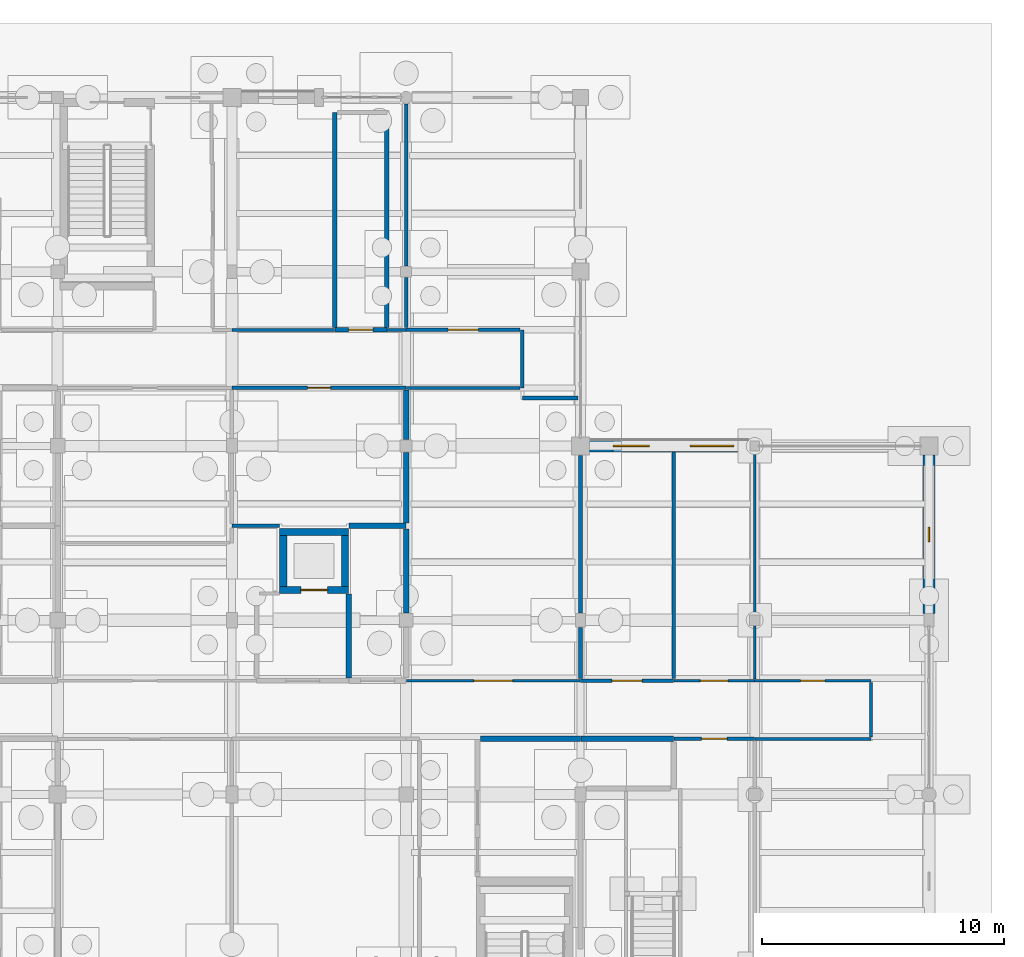
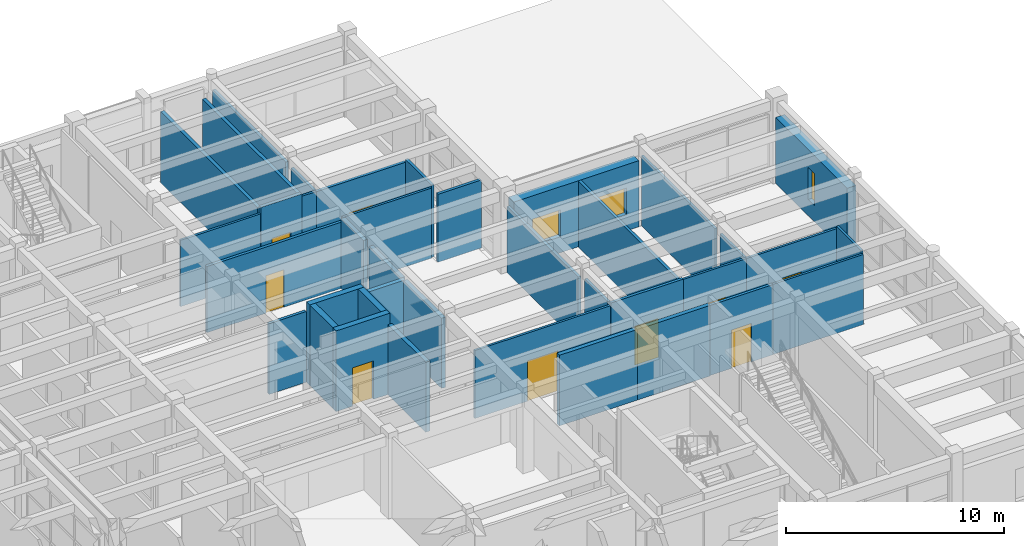
# One storey, part 121 of 143: 38 walls, 9 doors, 3 windows, 12 openings.
"""IFC4 building model written with IfcOpenShell, lengths in metres."""

from ifc_helpers import new_model, si_unit, direction, frame, frame_2d, origin, place, context, subcontext, project, spatial, rectangle, extrude, material, layer, layer_set, type_object, element, fill, save


model = new_model("IFC4")

# Units and contexts
model_context = context("Model", 3, precision=1e-05, world=origin(), true_north=direction((0.0, 1.0)))
body_context = subcontext(model_context, "Body", "Model", "MODEL_VIEW")
ifc_project = project(units=[si_unit("LENGTHUNIT", "METRE"), si_unit("AREAUNIT", "SQUARE_METRE"), si_unit("VOLUMEUNIT", "CUBIC_METRE"), si_unit("PLANEANGLEUNIT", "RADIAN"), si_unit("MASSUNIT", "GRAM", prefix="KILO")], contexts=[model_context])

# Site, building, storey
site_placement = place(None, origin())
site = spatial("IfcSite", under=ifc_project, at=site_placement, CompositionType="ELEMENT")
building_placement = place(site_placement, origin())
building = spatial("IfcBuilding", under=site, at=building_placement, Name="Steenspoor Specialist Clinic", CompositionType="ELEMENT")
storey_placement = place(building_placement, origin())
storey = spatial("IfcBuildingStorey", under=building, at=storey_placement, Name="L00", CompositionType="ELEMENT", Elevation=0.0)

# Wall, opening, window
ifc_material_1 = material(Name="Volcanic basalt ashlar masonry", Category="masonry")
ifc_layer_1 = layer(ifc_material_1, 0.47998046875)
ifc_layer_set_1 = layer_set([ifc_layer_1], Name="Volcanic basalt ashlar masonry")
wall_type_1 = type_object("IfcWallType", Name="W-BASALT-480", PredefinedType="SOLIDWALL", material=ifc_layer_set_1)
wall_1_placement = place(storey_placement, frame((161.199951171875, 93.574951171875, 0.0), z_axis=(0.0, 0.0, 1.0), x_axis=(0.0, -1.0, 0.0)))
wall_1 = element("IfcWall", 1, at=wall_1_placement, inside=storey, type_object=wall_type_1, Name="Exterior Brick Wall EW-V6-L00-0292", PredefinedType="SOLIDWALL", context=body_context, shape_type="SweptSolid", body=[
    extrude(rectangle(XDim=6.550048828125, YDim=0.47998046875, at=frame_2d((3.27490234375, 0.0))), origin(), (0.0, 0.0, 1.0), 3.699951171875),
])
opening_1_placement = place(wall_1_placement, frame((2.97509765625, 0.0, 0.89990234375)))
opening_1 = element("IfcOpeningElement", 2, at=opening_1_placement, cuts=wall_1, Name="Opening WN-01", PredefinedType="OPENING", context=body_context, shape_type="SweptSolid", body=[
    extrude(rectangle(XDim=0.60009765625, YDim=1.800048828125, at=frame_2d((0.300048828125, 0.89990234375))), frame((0.0, 0.25, 0.0), z_axis=(0.0, -1.0, 0.0), x_axis=(1.0, 0.0, 0.0)), (0.0, 0.0, 1.0), 0.5),
])
ifc_material_2 = material(Name="Thermally broken aluminium and low-emissivity glass", Category="aluminium")
window_type_1 = type_object("IfcWindowType", Name="WN-EXT-060X180", PartitioningType="SINGLE_PANEL", PredefinedType="WINDOW", material=ifc_material_2)
window_1_placement = place(opening_1_placement, origin())
window_1 = element("IfcWindow", 3, at=window_1_placement, inside=storey, type_object=window_type_1, Name="Window 0313", OverallHeight=1.800048828125, OverallWidth=0.60009765625, PartitioningType="SINGLE_PANEL", PredefinedType="WINDOW", context=body_context, shape_type="SweptSolid", body=[
    extrude(rectangle(XDim=0.60009765625, YDim=1.800048828125, at=frame_2d((0.300048828125, 0.89990234375))), frame((0.0, 0.030029296875, 0.0), z_axis=(0.0, -1.0, 0.0), x_axis=(1.0, 0.0, 0.0)), (0.0, 0.0, 1.0), 0.06005859375),
])
fill(opening_1, window_1)

# Wall, openings, windows
wall_2_placement = place(storey_placement, frame((147.175048828125, 93.949951171875, 0.0), z_axis=(0.0, 0.0, 1.0), x_axis=(1.0, 0.0, 0.0)))
wall_2 = element("IfcWall", 4, at=wall_2_placement, inside=storey, type_object=wall_type_1, Name="Exterior Brick Wall EW-V6-L00-0309", PredefinedType="SOLIDWALL", context=body_context, shape_type="SweptSolid", body=[
    extrude(rectangle(XDim=6.625, YDim=0.47998046875, at=frame_2d((3.3125, 0.0))), origin(), (0.0, 0.0, 1.0), 3.699951171875),
])
opening_2_placement = place(wall_2_placement, frame((0.9775390625, 0.0, 0.89990234375)))
opening_2 = element("IfcOpeningElement", 5, at=opening_2_placement, cuts=wall_2, Name="Opening WN-12", PredefinedType="OPENING", context=body_context, shape_type="SweptSolid", body=[
    extrude(rectangle(XDim=1.5, YDim=1.5, at=frame_2d((0.75, 0.75))), frame((0.0, 0.25, 0.0), z_axis=(0.0, -1.0, 0.0), x_axis=(1.0, 0.0, 0.0)), (0.0, 0.0, 1.0), 0.5),
])
opening_3_placement = place(wall_2_placement, frame((4.159912109375, 0.0, 0.89990234375)))
opening_3 = element("IfcOpeningElement", 6, at=opening_3_placement, cuts=wall_2, Name="Opening WN-13", PredefinedType="OPENING", context=body_context, shape_type="SweptSolid", body=[
    extrude(rectangle(XDim=1.800048828125, YDim=1.5, at=frame_2d((0.89990234375, 0.75))), frame((0.0, 0.25, 0.0), z_axis=(0.0, -1.0, 0.0), x_axis=(1.0, 0.0, 0.0)), (0.0, 0.0, 1.0), 0.5),
])
window_type_2 = type_object("IfcWindowType", Name="WN-EXT-150X150", PartitioningType="SINGLE_PANEL", PredefinedType="WINDOW", material=ifc_material_2)
window_2_placement = place(opening_2_placement, origin())
window_2 = element("IfcWindow", 7, at=window_2_placement, inside=storey, type_object=window_type_2, Name="Window 0330", OverallHeight=1.5, OverallWidth=1.5, PartitioningType="SINGLE_PANEL", PredefinedType="WINDOW", context=body_context, shape_type="SweptSolid", body=[
    extrude(rectangle(XDim=1.5, YDim=1.5, at=frame_2d((0.75, 0.75))), frame((0.0, 0.030029296875, 0.0), z_axis=(0.0, -1.0, 0.0), x_axis=(1.0, 0.0, 0.0)), (0.0, 0.0, 1.0), 0.06005859375),
])
fill(opening_2, window_2)
window_type_3 = type_object("IfcWindowType", Name="WN-EXT-180X150", PartitioningType="SINGLE_PANEL", PredefinedType="WINDOW", material=ifc_material_2)
window_3_placement = place(opening_3_placement, origin())
window_3 = element("IfcWindow", 8, at=window_3_placement, inside=storey, type_object=window_type_3, Name="Window 0331", OverallHeight=1.5, OverallWidth=1.800048828125, PartitioningType="SINGLE_PANEL", PredefinedType="WINDOW", context=body_context, shape_type="SweptSolid", body=[
    extrude(rectangle(XDim=1.800048828125, YDim=1.5, at=frame_2d((0.89990234375, 0.75))), frame((0.0, 0.030029296875, 0.0), z_axis=(0.0, -1.0, 0.0), x_axis=(1.0, 0.0, 0.0)), (0.0, 0.0, 1.0), 0.06005859375),
])
fill(opening_3, window_3)

# Wall, opening, door
ifc_material_3 = material(Name="Gypsum acoustic clinical partition", Category="gypsum")
ifc_layer_2 = layer(ifc_material_3, 0.14990234375)
ifc_layer_set_2 = layer_set([ifc_layer_2], Name="Gypsum acoustic clinical partition")
wall_type_2 = type_object("IfcWallType", Name="W-CLIN-150", PredefinedType="PARTITIONING", material=ifc_layer_set_2)
wall_3_placement = place(storey_placement, frame((150.6650390625, 81.85009765625, 0.0), z_axis=(0.0, 0.0, 1.0), x_axis=(1.0, 0.0, 0.0)))
wall_3 = element("IfcWall", 9, at=wall_3_placement, inside=storey, type_object=wall_type_2, Name="Interior Partition IW-V6-L00-0278", PredefinedType="PARTITIONING", context=body_context, shape_type="SweptSolid", body=[
    extrude(rectangle(XDim=3.3349609375, YDim=0.14990234375, at=frame_2d((1.66748046875, 0.0))), origin(), (0.0, 0.0, 1.0), 3.925048828125),
])
opening_4_placement = place(wall_3_placement, frame((1.142578125, 0.0, 0.0)))
opening_4 = element("IfcOpeningElement", 10, at=opening_4_placement, cuts=wall_3, Name="Opening D0406", PredefinedType="OPENING", context=body_context, shape_type="SweptSolid", body=[
    extrude(rectangle(XDim=1.050048828125, YDim=2.14990234375, at=frame_2d((0.52490234375, 1.074951171875))), frame((0.0, 0.0849609375, 0.0), z_axis=(0.0, -1.0, 0.0), x_axis=(1.0, 0.0, 0.0)), (0.0, 0.0, 1.0), 0.169921875),
])
ifc_material_4 = material(Name="Solid-core hardwood office door", Category="wood")
door_type_1 = type_object("IfcDoorType", Name="DT-OFF-105X215", OperationType="NOTDEFINED", PredefinedType="DOOR", material=ifc_material_4)
door_1_placement = place(opening_4_placement, origin())
door_1 = element("IfcDoor", 11, at=door_1_placement, inside=storey, type_object=door_type_1, Name="Clinical Door D0406", OperationType="SINGLE_SWING_LEFT", OverallHeight=2.14990234375, OverallWidth=1.050048828125, PredefinedType="DOOR", context=body_context, shape_type="SweptSolid", body=[
    extrude(rectangle(XDim=1.050048828125, YDim=2.14990234375, at=frame_2d((0.52490234375, 1.074951171875))), frame((0.0, 0.02490234375, 0.0), z_axis=(0.0, -1.0, 0.0), x_axis=(1.0, 0.0, 0.0)), (0.0, 0.0, 1.0), 0.050048828125),
])
fill(opening_4, door_1)

wall_4_placement = place(storey_placement, frame((146.800048828125, 84.25, 0.0), z_axis=(0.0, 0.0, 1.0), x_axis=(1.0, 0.0, 0.0)))
wall_4 = element("IfcWall", 12, at=wall_4_placement, inside=storey, type_object=wall_type_2, Name="Interior Partition IW-V6-L00-0284", PredefinedType="PARTITIONING", context=body_context, shape_type="SweptSolid", body=[
    extrude(rectangle(XDim=3.849853515625, YDim=0.14990234375, at=frame_2d((1.9248046875, 0.0))), origin(), (0.0, 0.0, 1.0), 3.955078125),
])
opening_5_placement = place(wall_4_placement, frame((1.300048828125, 0.0, 0.0)))
opening_5 = element("IfcOpeningElement", 13, at=opening_5_placement, cuts=wall_4, Name="Opening D0416", PredefinedType="OPENING", context=body_context, shape_type="SweptSolid", body=[
    extrude(rectangle(XDim=1.25, YDim=2.14990234375, at=frame_2d((0.625, 1.074951171875))), frame((0.0, 0.0849609375, 0.0), z_axis=(0.0, -1.0, 0.0), x_axis=(1.0, 0.0, 0.0)), (0.0, 0.0, 1.0), 0.169921875),
])
ifc_material_5 = material(Name="Hygienic HPL clinical timber door", Category="wood")
door_type_2 = type_object("IfcDoorType", Name="DT-EXAM-125X215", OperationType="NOTDEFINED", PredefinedType="DOOR", material=ifc_material_5)
door_2_placement = place(opening_5_placement, origin())
door_2 = element("IfcDoor", 14, at=door_2_placement, inside=storey, type_object=door_type_2, Name="Clinical Door D0416", OperationType="SINGLE_SWING_LEFT", OverallHeight=2.14990234375, OverallWidth=1.25, PredefinedType="DOOR", context=body_context, shape_type="SweptSolid", body=[
    extrude(rectangle(XDim=1.25, YDim=2.14990234375, at=frame_2d((0.625, 1.074951171875))), frame((0.0, 0.02490234375, 0.0), z_axis=(0.0, -1.0, 0.0), x_axis=(1.0, 0.0, 0.0)), (0.0, 0.0, 1.0), 0.050048828125),
])
fill(opening_5, door_2)

wall_5_placement = place(storey_placement, frame((132.39990234375, 96.35009765625, 0.0), z_axis=(0.0, 0.0, 1.0), x_axis=(1.0, 0.0, 0.0)))
wall_5 = element("IfcWall", 15, at=wall_5_placement, inside=storey, type_object=wall_type_2, Name="Interior Partition IW-V6-L00-0287", PredefinedType="PARTITIONING", context=body_context, shape_type="SweptSolid", body=[
    extrude(rectangle(XDim=7.2001953125, YDim=0.14990234375, at=frame_2d((3.60009765625, 0.0))), origin(), (0.0, 0.0, 1.0), 3.705078125),
])
opening_6_placement = place(wall_5_placement, frame((3.125, 0.0, 0.0)))
opening_6 = element("IfcOpeningElement", 16, at=opening_6_placement, cuts=wall_5, Name="Opening D0420", PredefinedType="OPENING", context=body_context, shape_type="SweptSolid", body=[
    extrude(rectangle(XDim=0.949951171875, YDim=2.10009765625, at=frame_2d((0.47509765625, 1.050048828125))), frame((0.0, 0.0849609375, 0.0), z_axis=(0.0, -1.0, 0.0), x_axis=(1.0, 0.0, 0.0)), (0.0, 0.0, 1.0), 0.169921875),
])
ifc_material_6 = material(Name="Moisture-resistant HPL sanitary door", Category="wood")
door_type_3 = type_object("IfcDoorType", Name="DT-WC-095X210", OperationType="NOTDEFINED", PredefinedType="DOOR", material=ifc_material_6)
door_3_placement = place(opening_6_placement, origin())
door_3 = element("IfcDoor", 17, at=door_3_placement, inside=storey, type_object=door_type_3, Name="Clinical Door D0420", OperationType="SINGLE_SWING_LEFT", OverallHeight=2.10009765625, OverallWidth=0.949951171875, PredefinedType="DOOR", context=body_context, shape_type="SweptSolid", body=[
    extrude(rectangle(XDim=0.949951171875, YDim=2.10009765625, at=frame_2d((0.47509765625, 1.050048828125))), frame((0.0, 0.02490234375, 0.0), z_axis=(0.0, -1.0, 0.0), x_axis=(1.0, 0.0, 0.0)), (0.0, 0.0, 1.0), 0.050048828125),
])
fill(opening_6, door_3)

# Wall
wall_6_placement = place(storey_placement, frame((144.39990234375, 96.35009765625, 0.0), z_axis=(0.0, 0.0, 1.0), x_axis=(0.0, 1.0, 0.0)))
element("IfcWall", 18, at=wall_6_placement, inside=storey, type_object=wall_type_2, Name="Interior Partition IW-V6-L00-0288", PredefinedType="PARTITIONING", context=body_context, shape_type="SweptSolid", body=[
    extrude(rectangle(XDim=2.39990234375, YDim=0.14990234375, at=frame_2d((1.199951171875, 0.0))), origin(), (0.0, 0.0, 1.0), 4.044921875),
])

# Wall, opening, door
wall_7_placement = place(storey_placement, frame((139.60009765625, 98.75, 0.0), z_axis=(0.0, 0.0, 1.0), x_axis=(1.0, 0.0, 0.0)))
wall_7 = element("IfcWall", 19, at=wall_7_placement, inside=storey, type_object=wall_type_2, Name="Interior Partition IW-V6-L00-0289", PredefinedType="PARTITIONING", context=body_context, shape_type="SweptSolid", body=[
    extrude(rectangle(XDim=4.7099609375, YDim=0.14990234375, at=frame_2d((2.35498046875, 0.0))), origin(), (0.0, 0.0, 1.0), 3.925048828125),
])
opening_7_placement = place(wall_7_placement, frame((1.72998046875, 0.0, 0.0)))
opening_7 = element("IfcOpeningElement", 20, at=opening_7_placement, cuts=wall_7, Name="Opening D0422", PredefinedType="OPENING", context=body_context, shape_type="SweptSolid", body=[
    extrude(rectangle(XDim=1.25, YDim=2.14990234375, at=frame_2d((0.625, 1.074951171875))), frame((0.0, 0.0849609375, 0.0), z_axis=(0.0, -1.0, 0.0), x_axis=(1.0, 0.0, 0.0)), (0.0, 0.0, 1.0), 0.169921875),
])
door_4_placement = place(opening_7_placement, origin())
door_4 = element("IfcDoor", 21, at=door_4_placement, inside=storey, type_object=door_type_2, Name="Clinical Door D0422", OperationType="SINGLE_SWING_LEFT", OverallHeight=2.14990234375, OverallWidth=1.25, PredefinedType="DOOR", context=body_context, shape_type="SweptSolid", body=[
    extrude(rectangle(XDim=1.25, YDim=2.14990234375, at=frame_2d((0.625, 1.074951171875))), frame((0.0, 0.02490234375, 0.0), z_axis=(0.0, -1.0, 0.0), x_axis=(1.0, 0.0, 0.0)), (0.0, 0.0, 1.0), 0.050048828125),
])
fill(opening_7, door_4)

# Walls
wall_8_placement = place(storey_placement, frame((132.39990234375, 90.64990234375, 0.0), z_axis=(0.0, 0.0, 1.0), x_axis=(1.0, 0.0, 0.0)))
element("IfcWall", 22, at=wall_8_placement, inside=storey, type_object=wall_type_2, Name="Interior Partition IW-V6-L00-0645", PredefinedType="PARTITIONING", context=body_context, shape_type="SweptSolid", body=[
    extrude(rectangle(XDim=1.97509765625, YDim=0.14990234375, at=frame_2d((0.987548828125, 0.0))), origin(), (0.0, 0.0, 1.0), 3.955078125),
])
wall_9_placement = place(storey_placement, frame((146.800048828125, 84.340087890625, 0.0), z_axis=(0.0, 0.0, 1.0), x_axis=(0.0, 1.0, 0.0)))
element("IfcWall", 23, at=wall_9_placement, inside=storey, type_object=wall_type_2, Name="Interior Partition IW-V6-L00-0646", PredefinedType="PARTITIONING", context=body_context, shape_type="SweptSolid", body=[
    extrude(rectangle(XDim=2.119873046875, YDim=0.14990234375, at=frame_2d((1.06005859375, 0.0))), origin(), (0.0, 0.0, 1.0), 3.955078125),
])
wall_10_placement = place(storey_placement, frame((146.800048828125, 87.0400390625, 0.0), z_axis=(0.0, 0.0, 1.0), x_axis=(0.0, 1.0, 0.0)))
element("IfcWall", 24, at=wall_10_placement, inside=storey, type_object=wall_type_2, Name="Interior Partition IW-V6-L00-0647", PredefinedType="PARTITIONING", context=body_context, shape_type="SweptSolid", body=[
    extrude(rectangle(XDim=6.52001953125, YDim=0.14990234375, at=frame_2d((3.260009765625, 0.0))), origin(), (0.0, 0.0, 1.0), 3.705078125),
])
wall_11_placement = place(storey_placement, frame((144.39990234375, 95.929931640625, 0.0), z_axis=(0.0, 0.0, 1.0), x_axis=(1.0, 0.0, 0.0)))
element("IfcWall", 25, at=wall_11_placement, inside=storey, type_object=wall_type_2, Name="Interior Partition IW-V6-L00-0648", PredefinedType="PARTITIONING", context=body_context, shape_type="SweptSolid", body=[
    extrude(rectangle(XDim=2.295166015625, YDim=0.14990234375, at=frame_2d((1.1474609375, 0.0))), origin(), (0.0, 0.0, 1.0), 3.804931640625),
])
wall_12_placement = place(storey_placement, frame((150.64990234375, 84.340087890625, 0.0), z_axis=(0.0, 0.0, 1.0), x_axis=(0.0, 1.0, 0.0)))
element("IfcWall", 26, at=wall_12_placement, inside=storey, type_object=wall_type_2, Name="Interior Partition IW-V6-L00-0649", PredefinedType="PARTITIONING", context=body_context, shape_type="SweptSolid", body=[
    extrude(rectangle(XDim=9.35498046875, YDim=0.14990234375, at=frame_2d((4.677490234375, 0.0))), origin(), (0.0, 0.0, 1.0), 3.705078125),
])
wall_13_placement = place(storey_placement, frame((139.60009765625, 98.840087890625, 0.0), z_axis=(0.0, 0.0, 1.0), x_axis=(0.0, 1.0, 0.0)))
element("IfcWall", 27, at=wall_13_placement, inside=storey, type_object=wall_type_2, Name="Interior Partition IW-V6-L00-0654", PredefinedType="PARTITIONING", context=body_context, shape_type="SweptSolid", body=[
    extrude(rectangle(XDim=2.06982421875, YDim=0.14990234375, at=frame_2d((1.034912109375, 0.0))), origin(), (0.0, 0.0, 1.0), 3.925048828125),
])
wall_14_placement = place(storey_placement, frame((139.60009765625, 101.389892578125, 0.0), z_axis=(0.0, 0.0, 1.0), x_axis=(0.0, 1.0, 0.0)))
element("IfcWall", 28, at=wall_14_placement, inside=storey, type_object=wall_type_2, Name="Interior Partition IW-V6-L00-0655", PredefinedType="PARTITIONING", context=body_context, shape_type="SweptSolid", body=[
    extrude(rectangle(XDim=6.695068359375, YDim=0.14990234375, at=frame_2d((3.34765625, 0.0))), origin(), (0.0, 0.0, 1.0), 3.955078125),
])
ifc_material_7 = material(Name="Fire-rated clay blockwork masonry", Category="masonry")
ifc_layer_3 = layer(ifc_material_7, 0.219970703125)
ifc_layer_set_3 = layer_set([ifc_layer_3], Name="Fire-rated clay blockwork masonry")
wall_type_3 = type_object("IfcWallType", Name="W-FIRE-220", PredefinedType="PARTITIONING", material=ifc_layer_set_3)
wall_15_placement = place(storey_placement, frame((137.22509765625, 84.364990234375, 0.0), z_axis=(0.0, 0.0, 1.0), x_axis=(0.0, 1.0, 0.0)))
element("IfcWall", 29, at=wall_15_placement, inside=storey, type_object=wall_type_3, Name="Interior Partition IW-V6-L00-0022", PredefinedType="PARTITIONING", context=body_context, shape_type="SweptSolid", body=[
    extrude(rectangle(XDim=3.469970703125, YDim=0.219970703125, at=frame_2d((1.73486328125, 0.0))), origin(), (0.0, 0.0, 1.0), 3.925048828125),
])
wall_16_placement = place(storey_placement, frame((142.675048828125, 81.85009765625, 0.0), z_axis=(0.0, 0.0, 1.0), x_axis=(1.0, 0.0, 0.0)))
element("IfcWall", 30, at=wall_16_placement, inside=storey, type_object=wall_type_3, Name="Interior Partition IW-V6-L00-0104", PredefinedType="PARTITIONING", context=body_context, shape_type="SweptSolid", body=[
    extrude(rectangle(XDim=4.125, YDim=0.219970703125, at=frame_2d((2.0625, 0.0))), origin(), (0.0, 0.0, 1.0), 3.955078125),
])
wall_17_placement = place(storey_placement, frame((146.81494140625, 81.85009765625, 0.0), z_axis=(0.0, 0.0, 1.0), x_axis=(1.0, 0.0, 0.0)))
element("IfcWall", 31, at=wall_17_placement, inside=storey, type_object=wall_type_3, Name="Interior Partition IW-V6-L00-0105", PredefinedType="PARTITIONING", context=body_context, shape_type="SweptSolid", body=[
    extrude(rectangle(XDim=3.8349609375, YDim=0.219970703125, at=frame_2d((1.91748046875, 0.0))), origin(), (0.0, 0.0, 1.0), 3.955078125),
])
wall_18_placement = place(storey_placement, frame((137.239990234375, 90.64990234375, 0.0), z_axis=(0.0, 0.0, 1.0), x_axis=(1.0, 0.0, 0.0)))
element("IfcWall", 32, at=wall_18_placement, inside=storey, type_object=wall_type_3, Name="Interior Partition IW-V6-L00-0471", PredefinedType="PARTITIONING", context=body_context, shape_type="SweptSolid", body=[
    extrude(rectangle(XDim=2.360107421875, YDim=0.219970703125, at=frame_2d((1.18017578125, 0.0))), origin(), (0.0, 0.0, 1.0), 3.925048828125),
])
wall_19_placement = place(storey_placement, frame((139.60009765625, 87.0400390625, 0.0), z_axis=(0.0, 0.0, 1.0), x_axis=(0.0, 1.0, 0.0)))
element("IfcWall", 33, at=wall_19_placement, inside=storey, type_object=wall_type_3, Name="Interior Partition IW-V6-L00-0473", PredefinedType="PARTITIONING", context=body_context, shape_type="SweptSolid", body=[
    extrude(rectangle(XDim=3.48486328125, YDim=0.219970703125, at=frame_2d((1.742431640625, 0.0))), origin(), (0.0, 0.0, 1.0), 3.925048828125),
])
wall_20_placement = place(storey_placement, frame((139.60009765625, 90.77490234375, 0.0), z_axis=(0.0, 0.0, 1.0), x_axis=(0.0, 1.0, 0.0)))
element("IfcWall", 34, at=wall_20_placement, inside=storey, type_object=wall_type_3, Name="Interior Partition IW-V6-L00-0474", PredefinedType="PARTITIONING", context=body_context, shape_type="SweptSolid", body=[
    extrude(rectangle(XDim=2.91015625, YDim=0.219970703125, at=frame_2d((1.455078125, 0.0))), origin(), (0.0, 0.0, 1.0), 3.925048828125),
])
wall_21_placement = place(storey_placement, frame((139.60009765625, 94.215087890625, 0.0), z_axis=(0.0, 0.0, 1.0), x_axis=(0.0, 1.0, 0.0)))
element("IfcWall", 35, at=wall_21_placement, inside=storey, type_object=wall_type_3, Name="Interior Partition IW-V6-L00-0475", PredefinedType="PARTITIONING", context=body_context, shape_type="SweptSolid", body=[
    extrude(rectangle(XDim=2.044921875, YDim=0.219970703125, at=frame_2d((1.0224609375, 0.0))), origin(), (0.0, 0.0, 1.0), 3.925048828125),
])

# Wall, opening, door
ifc_material_8 = material(Name="Gypsum studio partition board", Category="gypsum")
ifc_layer_4 = layer(ifc_material_8, 0.1201171875)
ifc_layer_set_4 = layer_set([ifc_layer_4], Name="Gypsum studio partition board")
wall_type_4 = type_object("IfcWallType", Name="W-PART-120", PredefinedType="PARTITIONING", material=ifc_layer_set_4)
wall_22_placement = place(storey_placement, frame((154.0, 84.25, 0.0), z_axis=(0.0, 0.0, 1.0), x_axis=(1.0, 0.0, 0.0)))
wall_22 = element("IfcWall", 36, at=wall_22_placement, inside=storey, type_object=wall_type_4, Name="Interior Partition IW-V6-L00-0380", PredefinedType="PARTITIONING", context=body_context, shape_type="SweptSolid", body=[
    extrude(rectangle(XDim=4.800048828125, YDim=0.1201171875, at=frame_2d((2.39990234375, 0.0))), origin(), (0.0, 0.0, 1.0), 3.925048828125),
])
opening_8_placement = place(wall_22_placement, frame((1.89990234375, 0.0, 0.0)))
opening_8 = element("IfcOpeningElement", 37, at=opening_8_placement, cuts=wall_22, Name="Opening D0407", PredefinedType="OPENING", context=body_context, shape_type="SweptSolid", body=[
    extrude(rectangle(XDim=1.0, YDim=2.14990234375, at=frame_2d((0.5, 1.074951171875))), frame((0.0, 0.070068359375, 0.0), z_axis=(0.0, -1.0, 0.0), x_axis=(1.0, 0.0, 0.0)), (0.0, 0.0, 1.0), 0.14013671875),
])
ifc_material_9 = material(Name="Moisture-resistant HPL accessible WC door", Category="wood")
door_type_4 = type_object("IfcDoorType", Name="DT-AWC-100X215", OperationType="NOTDEFINED", PredefinedType="DOOR", material=ifc_material_9)
door_5_placement = place(opening_8_placement, origin())
door_5 = element("IfcDoor", 38, at=door_5_placement, inside=storey, type_object=door_type_4, Name="Clinical Door D0407", OperationType="SINGLE_SWING_RIGHT", OverallHeight=2.14990234375, OverallWidth=1.0, PredefinedType="DOOR", context=body_context, shape_type="SweptSolid", body=[
    extrude(rectangle(XDim=1.0, YDim=2.14990234375, at=frame_2d((0.5, 1.074951171875))), frame((0.0, 0.02490234375, 0.0), z_axis=(0.0, -1.0, 0.0), x_axis=(1.0, 0.0, 0.0)), (0.0, 0.0, 1.0), 0.050048828125),
])
fill(opening_8, door_5)

# Walls
wall_23_placement = place(storey_placement, frame((154.014892578125, 81.85009765625, 0.0), z_axis=(0.0, 0.0, 1.0), x_axis=(1.0, 0.0, 0.0)))
element("IfcWall", 39, at=wall_23_placement, inside=storey, type_object=wall_type_4, Name="Interior Partition IW-V6-L00-0381", PredefinedType="PARTITIONING", context=body_context, shape_type="SweptSolid", body=[
    extrude(rectangle(XDim=4.78515625, YDim=0.1201171875, at=frame_2d((2.392578125, 0.0))), origin(), (0.0, 0.0, 1.0), 3.925048828125),
])
wall_24_placement = place(storey_placement, frame((158.800048828125, 81.925048828125, 0.0), z_axis=(0.0, 0.0, 1.0), x_axis=(0.0, 1.0, 0.0)))
element("IfcWall", 40, at=wall_24_placement, inside=storey, type_object=wall_type_4, Name="Interior Partition IW-V6-L00-0382", PredefinedType="PARTITIONING", context=body_context, shape_type="SweptSolid", body=[
    extrude(rectangle(XDim=2.25, YDim=0.1201171875, at=frame_2d((1.125, 0.0))), origin(), (0.0, 0.0, 1.0), 4.0849609375),
])

# Wall, opening, door
wall_25_placement = place(storey_placement, frame((139.614990234375, 84.25, 0.0), z_axis=(0.0, 0.0, 1.0), x_axis=(1.0, 0.0, 0.0)))
wall_25 = element("IfcWall", 41, at=wall_25_placement, inside=storey, type_object=wall_type_4, Name="Interior Partition IW-V6-L00-0387", PredefinedType="PARTITIONING", context=body_context, shape_type="SweptSolid", body=[
    extrude(rectangle(XDim=7.169921875, YDim=0.1201171875, at=frame_2d((3.5849609375, 0.0))), origin(), (0.0, 0.0, 1.0), 3.804931640625),
])
opening_9_placement = place(wall_25_placement, frame((2.784912109375, 0.0, 0.0)))
opening_9 = element("IfcOpeningElement", 42, at=opening_9_placement, cuts=wall_25, Name="Opening D0415", PredefinedType="OPENING", context=body_context, shape_type="SweptSolid", body=[
    extrude(rectangle(XDim=1.60009765625, YDim=2.25, at=frame_2d((0.800048828125, 1.125))), frame((0.0, 0.070068359375, 0.0), z_axis=(0.0, -1.0, 0.0), x_axis=(1.0, 0.0, 0.0)), (0.0, 0.0, 1.0), 0.14013671875),
])
door_type_5 = type_object("IfcDoorType", Name="DT-PROC-160X225", OperationType="NOTDEFINED", PredefinedType="DOOR", material=ifc_material_5)
door_6_placement = place(opening_9_placement, origin())
door_6 = element("IfcDoor", 43, at=door_6_placement, inside=storey, type_object=door_type_5, Name="Clinical Door D0415", OperationType="SINGLE_SWING_RIGHT", OverallHeight=2.25, OverallWidth=1.60009765625, PredefinedType="DOOR", context=body_context, shape_type="SweptSolid", body=[
    extrude(rectangle(XDim=1.60009765625, YDim=2.25, at=frame_2d((0.800048828125, 1.125))), frame((0.0, 0.02490234375, 0.0), z_axis=(0.0, -1.0, 0.0), x_axis=(1.0, 0.0, 0.0)), (0.0, 0.0, 1.0), 0.050048828125),
])
fill(opening_9, door_6)

# Wall
wall_26_placement = place(storey_placement, frame((139.614990234375, 96.35009765625, 0.0), z_axis=(0.0, 0.0, 1.0), x_axis=(1.0, 0.0, 0.0)))
element("IfcWall", 44, at=wall_26_placement, inside=storey, type_object=wall_type_4, Name="Interior Partition IW-V6-L00-0388", PredefinedType="PARTITIONING", context=body_context, shape_type="SweptSolid", body=[
    extrude(rectangle(XDim=4.695068359375, YDim=0.1201171875, at=frame_2d((2.34765625, 0.0))), origin(), (0.0, 0.0, 1.0), 3.925048828125),
])

# Wall, opening, door
wall_27_placement = place(storey_placement, frame((150.6650390625, 84.25, 0.0), z_axis=(0.0, 0.0, 1.0), x_axis=(1.0, 0.0, 0.0)))
wall_27 = element("IfcWall", 45, at=wall_27_placement, inside=storey, type_object=wall_type_4, Name="Interior Partition IW-V6-L00-0389", PredefinedType="PARTITIONING", context=body_context, shape_type="SweptSolid", body=[
    extrude(rectangle(XDim=3.320068359375, YDim=0.1201171875, at=frame_2d((1.66015625, 0.0))), origin(), (0.0, 0.0, 1.0), 3.925048828125),
])
opening_10_placement = place(wall_27_placement, frame((1.0849609375, 0.0, 0.0)))
opening_10 = element("IfcOpeningElement", 46, at=opening_10_placement, cuts=wall_27, Name="Opening D0417", PredefinedType="OPENING", context=body_context, shape_type="SweptSolid", body=[
    extrude(rectangle(XDim=1.14990234375, YDim=2.14990234375, at=frame_2d((0.574951171875, 1.074951171875))), frame((0.0, 0.070068359375, 0.0), z_axis=(0.0, -1.0, 0.0), x_axis=(1.0, 0.0, 0.0)), (0.0, 0.0, 1.0), 0.14013671875),
])
ifc_material_10 = material(Name="Solid-core hardwood clinical door", Category="wood")
door_type_6 = type_object("IfcDoorType", Name="DT-CONS-115X215", OperationType="NOTDEFINED", PredefinedType="DOOR", material=ifc_material_10)
door_7_placement = place(opening_10_placement, origin())
door_7 = element("IfcDoor", 47, at=door_7_placement, inside=storey, type_object=door_type_6, Name="Clinical Door D0417", OperationType="SINGLE_SWING_RIGHT", OverallHeight=2.14990234375, OverallWidth=1.14990234375, PredefinedType="DOOR", context=body_context, shape_type="SweptSolid", body=[
    extrude(rectangle(XDim=1.14990234375, YDim=2.14990234375, at=frame_2d((0.574951171875, 1.074951171875))), frame((0.0, 0.02490234375, 0.0), z_axis=(0.0, -1.0, 0.0), x_axis=(1.0, 0.0, 0.0)), (0.0, 0.0, 1.0), 0.050048828125),
])
fill(opening_10, door_7)

# Walls
wall_28_placement = place(storey_placement, frame((138.81494140625, 98.75, 0.0), z_axis=(0.0, 0.0, 1.0), x_axis=(1.0, 0.0, 0.0)))
element("IfcWall", 48, at=wall_28_placement, inside=storey, type_object=wall_type_4, Name="Interior Partition IW-V6-L00-0397", PredefinedType="PARTITIONING", context=body_context, shape_type="SweptSolid", body=[
    extrude(rectangle(XDim=0.77001953125, YDim=0.1201171875, at=frame_2d((0.385009765625, 0.0))), origin(), (0.0, 0.0, 1.0), 3.925048828125),
])
wall_29_placement = place(storey_placement, frame((132.39990234375, 98.75, 0.0), z_axis=(0.0, 0.0, 1.0), x_axis=(1.0, 0.0, 0.0)))
element("IfcWall", 49, at=wall_29_placement, inside=storey, type_object=wall_type_4, Name="Interior Partition IW-V6-L00-0398", PredefinedType="PARTITIONING", context=body_context, shape_type="SweptSolid", body=[
    extrude(rectangle(XDim=4.235107421875, YDim=0.1201171875, at=frame_2d((2.11767578125, 0.0))), origin(), (0.0, 0.0, 1.0), 3.705078125),
])
wall_30_placement = place(storey_placement, frame((154.0, 84.324951171875, 0.0), z_axis=(0.0, 0.0, 1.0), x_axis=(0.0, 1.0, 0.0)))
element("IfcWall", 50, at=wall_30_placement, inside=storey, type_object=wall_type_4, Name="Interior Partition IW-V6-L00-0664", PredefinedType="PARTITIONING", context=body_context, shape_type="SweptSolid", body=[
    extrude(rectangle(XDim=2.18505859375, YDim=0.1201171875, at=frame_2d((1.092529296875, 0.0))), origin(), (0.0, 0.0, 1.0), 3.925048828125),
])
wall_31_placement = place(storey_placement, frame((154.0, 86.989990234375, 0.0), z_axis=(0.0, 0.0, 1.0), x_axis=(0.0, 1.0, 0.0)))
element("IfcWall", 51, at=wall_31_placement, inside=storey, type_object=wall_type_4, Name="Interior Partition IW-V6-L00-0665", PredefinedType="PARTITIONING", context=body_context, shape_type="SweptSolid", body=[
    extrude(rectangle(XDim=6.7451171875, YDim=0.1201171875, at=frame_2d((3.37255859375, 0.0))), origin(), (0.0, 0.0, 1.0), 3.925048828125),
])

# Wall, opening, door
ifc_material_11 = material(Name="Moisture-resistant gypsum plumbing wall", Category="gypsum")
ifc_layer_5 = layer(ifc_material_11, 0.179931640625)
ifc_layer_set_5 = layer_set([ifc_layer_5], Name="Moisture-resistant gypsum plumbing wall")
wall_type_5 = type_object("IfcWallType", Name="W-PLUMB-180", PredefinedType="PLUMBINGWALL", material=ifc_layer_set_5)
wall_32_placement = place(storey_placement, frame((136.64990234375, 98.75, 0.0), z_axis=(0.0, 0.0, 1.0), x_axis=(1.0, 0.0, 0.0)))
wall_32 = element("IfcWall", 52, at=wall_32_placement, inside=storey, type_object=wall_type_5, Name="Interior Partition IW-V6-L00-0014", PredefinedType="PLUMBINGWALL", context=body_context, shape_type="SweptSolid", body=[
    extrude(rectangle(XDim=2.150146484375, YDim=0.179931640625, at=frame_2d((1.0751953125, 0.0))), origin(), (0.0, 0.0, 1.0), 4.0849609375),
])
opening_11_placement = place(wall_32_placement, frame((0.574951171875, 0.0, 0.0)))
opening_11 = element("IfcOpeningElement", 53, at=opening_11_placement, cuts=wall_32, Name="Opening D0424", PredefinedType="OPENING", context=body_context, shape_type="SweptSolid", body=[
    extrude(rectangle(XDim=1.0, YDim=2.14990234375, at=frame_2d((0.5, 1.074951171875))), frame((0.0, 0.10009765625, 0.0), z_axis=(0.0, -1.0, 0.0), x_axis=(1.0, 0.0, 0.0)), (0.0, 0.0, 1.0), 0.199951171875),
])
door_8_placement = place(opening_11_placement, origin())
door_8 = element("IfcDoor", 54, at=door_8_placement, inside=storey, type_object=door_type_4, Name="Clinical Door D0424", OperationType="SINGLE_SWING_LEFT", OverallHeight=2.14990234375, OverallWidth=1.0, PredefinedType="DOOR", context=body_context, shape_type="SweptSolid", body=[
    extrude(rectangle(XDim=1.0, YDim=2.14990234375, at=frame_2d((0.5, 1.074951171875))), frame((0.0, 0.02490234375, 0.0), z_axis=(0.0, -1.0, 0.0), x_axis=(1.0, 0.0, 0.0)), (0.0, 0.0, 1.0), 0.050048828125),
])
fill(opening_11, door_8)

# Walls
wall_33_placement = place(storey_placement, frame((136.64990234375, 98.85498046875, 0.0), z_axis=(0.0, 0.0, 1.0), x_axis=(0.0, 1.0, 0.0)))
element("IfcWall", 55, at=wall_33_placement, inside=storey, type_object=wall_type_5, Name="Interior Partition IW-V6-L00-0042", PredefinedType="PLUMBINGWALL", context=body_context, shape_type="SweptSolid", body=[
    extrude(rectangle(XDim=8.875, YDim=0.179931640625, at=frame_2d((4.4375, 0.0))), origin(), (0.0, 0.0, 1.0), 3.985107421875),
])
wall_34_placement = place(storey_placement, frame((138.800048828125, 98.85498046875, 0.0), z_axis=(0.0, 0.0, 1.0), x_axis=(0.0, 1.0, 0.0)))
element("IfcWall", 56, at=wall_34_placement, inside=storey, type_object=wall_type_5, Name="Interior Partition IW-V6-L00-0044", PredefinedType="PLUMBINGWALL", context=body_context, shape_type="SweptSolid", body=[
    extrude(rectangle(XDim=8.77001953125, YDim=0.179931640625, at=frame_2d((4.385009765625, 0.0))), origin(), (0.0, 0.0, 1.0), 3.985107421875),
])

# Wall, opening, door
ifc_material_12 = material(Name="Concrete C40/50", Category="concrete")
ifc_layer_6 = layer(ifc_material_12, 0.300048828125)
ifc_layer_set_6 = layer_set([ifc_layer_6], Name="Concrete C40/50")
wall_type_6 = type_object("IfcWallType", Name="W-SW-300", PredefinedType="SHEAR", material=ifc_layer_set_6)
wall_35_placement = place(storey_placement, frame((134.375, 88.0, 0.0), z_axis=(0.0, 0.0, 1.0), x_axis=(1.0, 0.0, 0.0)))
wall_35 = element("IfcWall", 57, at=wall_35_placement, inside=storey, type_object=wall_type_6, Name="Lift Shaft Shear Wall SW-EL-P3-L00-S", PredefinedType="SHEAR", context=body_context, shape_type="SweptSolid", body=[
    extrude(rectangle(XDim=2.85009765625, YDim=0.300048828125, at=frame_2d((1.425048828125, 0.0))), origin(), (0.0, 0.0, 1.0), 4.52001953125),
])
opening_12_placement = place(wall_35_placement, frame((0.875, 0.0, 0.0)))
opening_12 = element("IfcOpeningElement", 58, at=opening_12_placement, cuts=wall_35, Name="Opening LD22", PredefinedType="OPENING", context=body_context, shape_type="SweptSolid", body=[
    extrude(rectangle(XDim=1.10009765625, YDim=2.14990234375, at=frame_2d((0.550048828125, 1.074951171875))), frame((0.0, 0.16015625, 0.0), z_axis=(0.0, -1.0, 0.0), x_axis=(1.0, 0.0, 0.0)), (0.0, 0.0, 1.0), 0.320068359375),
])
ifc_material_13 = material(Name="Stainless steel lift landing door", Category="steel")
door_type_7 = type_object("IfcDoorType", Name="DT-LIFT-P-110", OperationType="NOTDEFINED", PredefinedType="DOOR", material=ifc_material_13)
door_9_placement = place(opening_12_placement, origin())
door_9 = element("IfcDoor", 59, at=door_9_placement, inside=storey, type_object=door_type_7, Name="Lift Landing Door LD22", OperationType="SLIDING_TO_LEFT", OverallHeight=2.14990234375, OverallWidth=1.10009765625, PredefinedType="DOOR", context=body_context, shape_type="SweptSolid", body=[
    extrude(rectangle(XDim=1.10009765625, YDim=2.14990234375, at=frame_2d((0.550048828125, 1.074951171875))), frame((0.0, 0.02490234375, 0.0), z_axis=(0.0, -1.0, 0.0), x_axis=(1.0, 0.0, 0.0)), (0.0, 0.0, 1.0), 0.050048828125),
])
fill(opening_12, door_9)

# Walls
wall_36_placement = place(storey_placement, frame((134.375, 90.39990234375, 0.0), z_axis=(0.0, 0.0, 1.0), x_axis=(1.0, 0.0, 0.0)))
element("IfcWall", 60, at=wall_36_placement, inside=storey, type_object=wall_type_6, Name="Lift Shaft Shear Wall SW-EL-P3-L00-N", PredefinedType="SHEAR", context=body_context, shape_type="SweptSolid", body=[
    extrude(rectangle(XDim=2.85009765625, YDim=0.300048828125, at=frame_2d((1.425048828125, 0.0))), origin(), (0.0, 0.0, 1.0), 4.52001953125),
])
for number, where, z_axis, x_axis, name in (
    (61, (134.52490234375, 88.14990234375, 0.0), (0.0, 0.0, 1.0), (0.0, 1.0, 0.0), "Lift Shaft Shear Wall SW-EL-P3-L00-W"),
    (62, (137.074951171875, 88.14990234375, 0.0), (0.0, 0.0, 1.0), (0.0, 1.0, 0.0), "Lift Shaft Shear Wall SW-EL-P3-L00-E"),
):
    element("IfcWall", number, at=place(storey_placement, frame(where, z_axis=z_axis, x_axis=x_axis)), inside=storey, type_object=wall_type_6, Name=name, PredefinedType="SHEAR", context=body_context, shape_type="SweptSolid", body=[
        extrude(rectangle(XDim=2.10009765625, YDim=0.300048828125, at=frame_2d((1.050048828125, 0.0))), origin(), (0.0, 0.0, 1.0), 4.52001953125),
    ])

save(model, "model.ifc")
